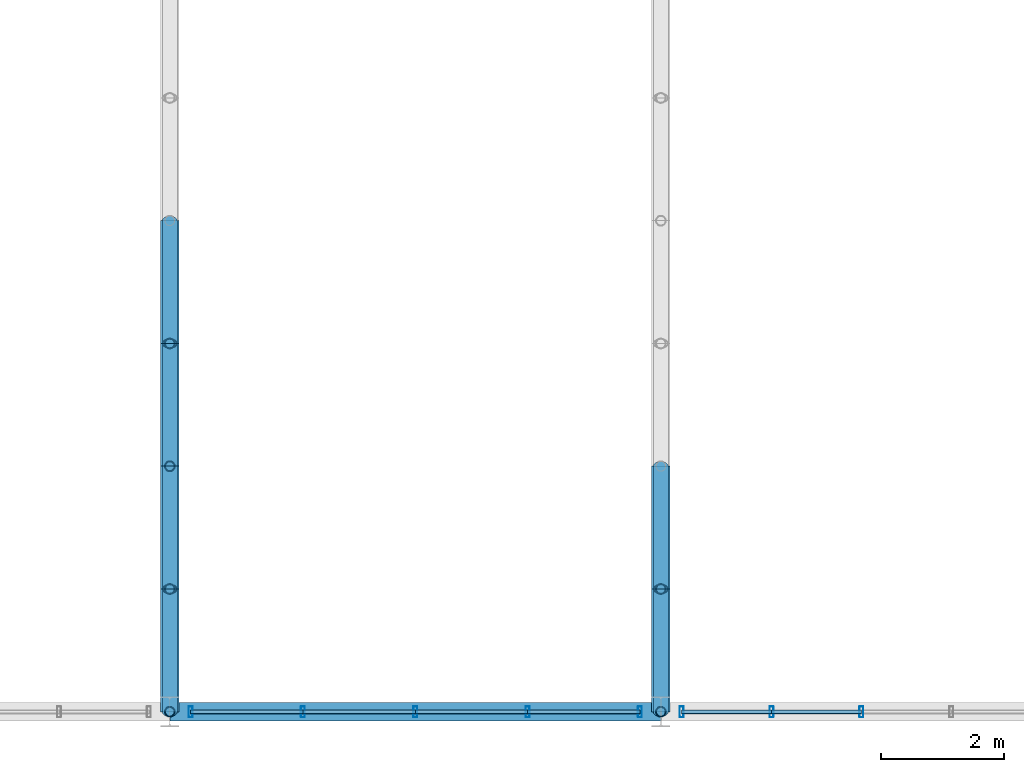
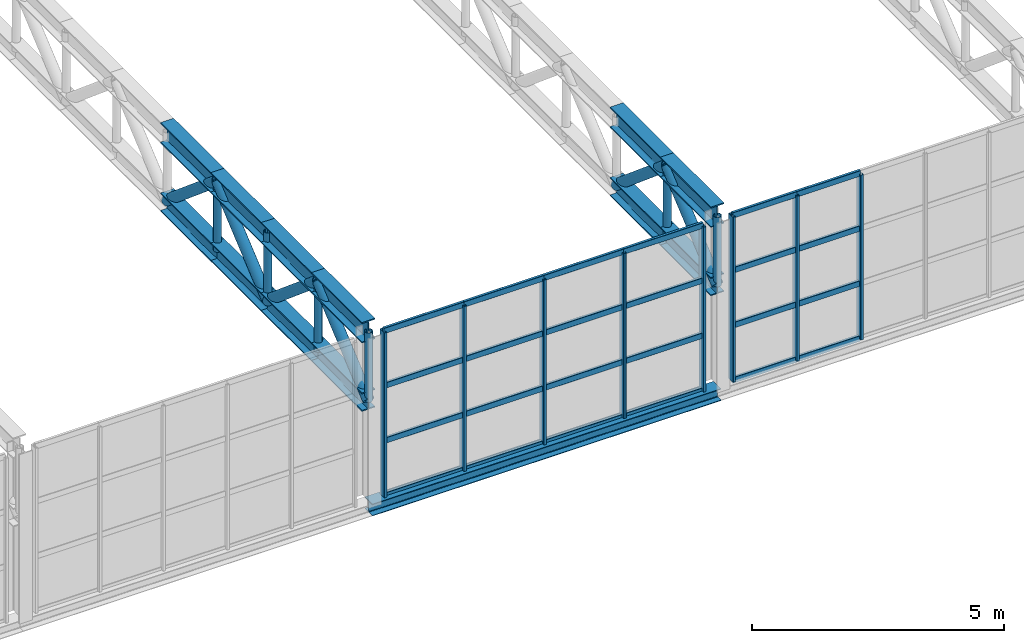
# One storey, part 18 of 67: 56 members, 1 beam, 2 elements without a shape of their own.
"""IFC4 building model written with IfcOpenShell, lengths in metres."""

from ifc_helpers import new_model, si_unit, derived_unit, direction, frame, origin, origin_2d, place, context, subcontext, project, spatial, hollow_rectangle, hollow_circle, i_section, extrude, material, material_profile, profile_set, type_object, element, aggregate, save


model = new_model("IFC4")

# Units and contexts
model_context = context("Model", 3, precision=1e-05, world=origin(), true_north=direction((0.0, 1.0)))
body_context = subcontext(model_context, "Body", "Model", "MODEL_VIEW")
ifc_project = project(units=[si_unit("LENGTHUNIT", "METRE"), si_unit("AREAUNIT", "SQUARE_METRE"), si_unit("VOLUMEUNIT", "CUBIC_METRE"), si_unit("PLANEANGLEUNIT", "RADIAN"), si_unit("MASSUNIT", "GRAM", prefix="KILO"), derived_unit("THERMALTRANSMITTANCEUNIT", [(si_unit("POWERUNIT", "WATT"), 1), (si_unit("LENGTHUNIT", "METRE"), -2), (si_unit("THERMODYNAMICTEMPERATUREUNIT", "KELVIN"), -1)])], contexts=[model_context])

# Site, building, storey
site_placement = place(None, origin())
site = spatial("IfcSite", under=ifc_project, at=site_placement, CompositionType="ELEMENT")
building_placement = place(site_placement, origin())
building = spatial("IfcBuilding", under=site, at=building_placement, Name="Keldorne Ridge Multi-Sports Centre", CompositionType="ELEMENT")
storey_placement = place(building_placement, frame((0.0, 0.0, 14.0)))
storey = spatial("IfcBuildingStorey", under=building, at=storey_placement, Name="L03", CompositionType="ELEMENT", Elevation=14.0)

# Beam
ifc_material_1 = material(Name="Steel S355", Category="steel")
ifc_material_profile_1 = material_profile(ifc_material_1, i_section(OverallWidth=0.300048828125, OverallDepth=0.2900390625, WebThickness=0.008544921875, FlangeThickness=0.013916015625, FilletRadius=0.027099609375, at=origin_2d()), Name="HEA 300")
ifc_profile_set_1 = profile_set([ifc_material_profile_1], Name="Steel S355")
beam_type = type_object("IfcBeamType", Name="BM-SP-04", PredefinedType="SPANDREL", material=ifc_profile_set_1)
beam_placement = place(storey_placement, frame((136.0, 6.0, -0.14990234375), z_axis=(1.0, 0.0, 0.0), x_axis=(0.0, 1.0, 0.0)))
element("IfcBeam", 1, at=beam_placement, inside=storey, type_object=beam_type, Name="Stacked Courts spandrel L03.6.5", PredefinedType="SPANDREL", context=body_context, shape_type="SweptSolid", body=[
    extrude(i_section(OverallWidth=0.300048828125, OverallDepth=0.2900390625, WebThickness=0.008544921875, FlangeThickness=0.013916015625, FilletRadius=0.027099609375, at=origin_2d()), origin(), (0.0, 0.0, 1.0), 8.0),
])

# Curtain wall, members
ifc_material_2 = material(Name="Anodized aluminium", Category="aluminium")
curtain_wall_type_1 = type_object("IfcCurtainWallType", Name="CW-CW-03", PredefinedType="NOTDEFINED", material=ifc_material_2)
curtain_wall_1_placement = place(storey_placement, origin())
curtain_wall_1 = element("IfcCurtainWall", 2, at=curtain_wall_1_placement, inside=storey, type_object=curtain_wall_type_1, Name="Upper Courts high clerestory 115", PredefinedType="NOTDEFINED")
ifc_material_profile_2 = material_profile(ifc_material_2, hollow_rectangle(XDim=0.06494140625, YDim=0.179931640625, WallThickness=0.00439453125, InnerFilletRadius=0.00439453125, OuterFilletRadius=0.009033203125, at=origin_2d()), Name="ALU MULLION 180x65x4.5")
ifc_profile_set_2 = profile_set([ifc_material_profile_2], Name="Anodized aluminium")
member_type_1 = type_object("IfcMemberType", Name="MEM-ML-01", PredefinedType="MULLION", material=ifc_profile_set_2)
member_1_placement = place(storey_placement, frame((136.340087890625, 6.0, 0.0), z_axis=(0.0, 0.0, 1.0), x_axis=(1.0, 0.0, 0.0)))
member_1 = element("IfcMember", 3, at=member_1_placement, type_object=member_type_1, Name="CW-115 vertical mullion 1", PredefinedType="MULLION", context=body_context, shape_type="SweptSolid", body=[
    extrude(hollow_rectangle(XDim=0.06494140625, YDim=0.179931640625, WallThickness=0.00439453125, InnerFilletRadius=0.00439453125, OuterFilletRadius=0.009033203125, at=origin_2d()), origin(), (0.0, 0.0, 1.0), 4.0),
])
member_2_placement = place(storey_placement, frame((138.169921875, 6.0, 0.0), z_axis=(0.0, 0.0, 1.0), x_axis=(1.0, 0.0, 0.0)))
member_2 = element("IfcMember", 4, at=member_2_placement, type_object=member_type_1, Name="CW-115 vertical mullion 2", PredefinedType="MULLION", context=body_context, shape_type="SweptSolid", body=[
    extrude(hollow_rectangle(XDim=0.06494140625, YDim=0.179931640625, WallThickness=0.00439453125, InnerFilletRadius=0.00439453125, OuterFilletRadius=0.009033203125, at=origin_2d()), origin(), (0.0, 0.0, 1.0), 4.0),
])
member_3_placement = place(storey_placement, frame((140.0, 6.0, 0.0), z_axis=(0.0, 0.0, 1.0), x_axis=(1.0, 0.0, 0.0)))
member_3 = element("IfcMember", 5, at=member_3_placement, type_object=member_type_1, Name="CW-115 vertical mullion 3", PredefinedType="MULLION", context=body_context, shape_type="SweptSolid", body=[
    extrude(hollow_rectangle(XDim=0.06494140625, YDim=0.179931640625, WallThickness=0.00439453125, InnerFilletRadius=0.00439453125, OuterFilletRadius=0.009033203125, at=origin_2d()), origin(), (0.0, 0.0, 1.0), 4.0),
])
member_4_placement = place(storey_placement, frame((141.830078125, 6.0, 0.0), z_axis=(0.0, 0.0, 1.0), x_axis=(1.0, 0.0, 0.0)))
member_4 = element("IfcMember", 6, at=member_4_placement, type_object=member_type_1, Name="CW-115 vertical mullion 4", PredefinedType="MULLION", context=body_context, shape_type="SweptSolid", body=[
    extrude(hollow_rectangle(XDim=0.06494140625, YDim=0.179931640625, WallThickness=0.00439453125, InnerFilletRadius=0.00439453125, OuterFilletRadius=0.009033203125, at=origin_2d()), origin(), (0.0, 0.0, 1.0), 4.0),
])
member_5_placement = place(storey_placement, frame((143.659912109375, 6.0, 0.0), z_axis=(0.0, 0.0, 1.0), x_axis=(1.0, 0.0, 0.0)))
member_5 = element("IfcMember", 7, at=member_5_placement, type_object=member_type_1, Name="CW-115 vertical mullion 5", PredefinedType="MULLION", context=body_context, shape_type="SweptSolid", body=[
    extrude(hollow_rectangle(XDim=0.06494140625, YDim=0.179931640625, WallThickness=0.00439453125, InnerFilletRadius=0.00439453125, OuterFilletRadius=0.009033203125, at=origin_2d()), origin(), (0.0, 0.0, 1.0), 4.0),
])

curtain_wall_type_2 = type_object("IfcCurtainWallType", Name="CW-CW-01", PredefinedType="NOTDEFINED", material=ifc_material_2)
curtain_wall_2_placement = place(storey_placement, origin())
curtain_wall_2 = element("IfcCurtainWall", 8, at=curtain_wall_2_placement, inside=storey, type_object=curtain_wall_type_2, Name="Upper Courts high clerestory 121", PredefinedType="NOTDEFINED")
member_6_placement = place(storey_placement, frame((144.340087890625, 6.0, 0.0), z_axis=(0.0, 0.0, 1.0), x_axis=(1.0, 0.0, 0.0)))
member_6 = element("IfcMember", 9, at=member_6_placement, type_object=member_type_1, Name="CW-121 vertical mullion 1", PredefinedType="MULLION", context=body_context, shape_type="SweptSolid", body=[
    extrude(hollow_rectangle(XDim=0.06494140625, YDim=0.179931640625, WallThickness=0.00439453125, InnerFilletRadius=0.00439453125, OuterFilletRadius=0.009033203125, at=origin_2d()), origin(), (0.0, 0.0, 1.0), 4.0),
])
member_7_placement = place(storey_placement, frame((145.803955078125, 6.0, 0.0), z_axis=(0.0, 0.0, 1.0), x_axis=(1.0, 0.0, 0.0)))
member_7 = element("IfcMember", 10, at=member_7_placement, type_object=member_type_1, Name="CW-121 vertical mullion 2", PredefinedType="MULLION", context=body_context, shape_type="SweptSolid", body=[
    extrude(hollow_rectangle(XDim=0.06494140625, YDim=0.179931640625, WallThickness=0.00439453125, InnerFilletRadius=0.00439453125, OuterFilletRadius=0.009033203125, at=origin_2d()), origin(), (0.0, 0.0, 1.0), 4.0),
])
member_8_placement = place(storey_placement, frame((147.26806640625, 6.0, 0.0), z_axis=(0.0, 0.0, 1.0), x_axis=(1.0, 0.0, 0.0)))
member_8 = element("IfcMember", 11, at=member_8_placement, type_object=member_type_1, Name="CW-121 vertical mullion 3", PredefinedType="MULLION", context=body_context, shape_type="SweptSolid", body=[
    extrude(hollow_rectangle(XDim=0.06494140625, YDim=0.179931640625, WallThickness=0.00439453125, InnerFilletRadius=0.00439453125, OuterFilletRadius=0.009033203125, at=origin_2d()), origin(), (0.0, 0.0, 1.0), 4.0),
])

# Members
ifc_material_profile_3 = material_profile(ifc_material_1, i_section(OverallWidth=0.300048828125, OverallDepth=0.5, WebThickness=0.014404296875, FlangeThickness=0.028076171875, FilletRadius=0.027099609375, at=origin_2d()), Name="HEB 500")
ifc_profile_set_3 = profile_set([ifc_material_profile_3], Name="Steel S355")
member_type_2 = type_object("IfcMemberType", Name="MEM-TC-03", PredefinedType="CHORD", material=ifc_profile_set_3)
for number, where, z_axis, x_axis, name in (
    (12, (136.0, 6.0, 4.110107421875), (0.0, 1.0, 0.0), (-1.0, 0.0, 0.0), "Stacked Courts Warren TRUSS WT-L04-05 top chord 1"),
    (13, (136.0, 8.0, 4.110107421875), (0.0, 1.0, 0.0), (-1.0, 0.0, 0.0), "Stacked Courts Warren TRUSS WT-L04-05 top chord 2"),
    (14, (136.0, 10.0, 4.110107421875), (0.0, 1.0, 0.0), (-1.0, 0.0, 0.0), "Stacked Courts Warren TRUSS WT-L04-05 top chord 3"),
    (15, (136.0, 12.0, 4.110107421875), (0.0, 1.0, 0.0), (-1.0, 0.0, 0.0), "Stacked Courts Warren TRUSS WT-L04-05 top chord 4"),
    (16, (144.0, 6.0, 4.110107421875), (0.0, 1.0, 0.0), (-1.0, 0.0, 0.0), "Stacked Courts Warren TRUSS WT-L04-06 top chord 1"),
    (17, (144.0, 8.0, 4.110107421875), (0.0, 1.0, 0.0), (-1.0, 0.0, 0.0), "Stacked Courts Warren TRUSS WT-L04-06 top chord 2"),
):
    element("IfcMember", number, at=place(storey_placement, frame(where, z_axis=z_axis, x_axis=x_axis)), inside=storey, type_object=member_type_2, Name=name, PredefinedType="CHORD", context=body_context, shape_type="SweptSolid", body=[
        extrude(i_section(OverallWidth=0.300048828125, OverallDepth=0.5, WebThickness=0.014404296875, FlangeThickness=0.028076171875, FilletRadius=0.027099609375, at=origin_2d()), origin(), (0.0, 0.0, 1.0), 2.0),
    ])
ifc_material_profile_4 = material_profile(ifc_material_1, i_section(OverallWidth=0.300048828125, OverallDepth=0.449951171875, WebThickness=0.013916015625, FlangeThickness=0.02587890625, FilletRadius=0.027099609375, at=origin_2d()), Name="HEB 450")
ifc_profile_set_4 = profile_set([ifc_material_profile_4], Name="Steel S355")
member_type_3 = type_object("IfcMemberType", Name="MEM-TC-04", PredefinedType="CHORD", material=ifc_profile_set_4)
for number, where, z_axis, x_axis, name in (
    (18, (136.0, 6.0, 2.429931640625), (0.0, 1.0, 0.0), (-1.0, 0.0, 0.0), "Stacked Courts Warren TRUSS WT-L04-05 bottom chord 1"),
    (19, (136.0, 8.0, 2.429931640625), (0.0, 1.0, 0.0), (-1.0, 0.0, 0.0), "Stacked Courts Warren TRUSS WT-L04-05 bottom chord 2"),
    (20, (136.0, 10.0, 2.429931640625), (0.0, 1.0, 0.0), (-1.0, 0.0, 0.0), "Stacked Courts Warren TRUSS WT-L04-05 bottom chord 3"),
    (21, (136.0, 12.0, 2.429931640625), (0.0, 1.0, 0.0), (-1.0, 0.0, 0.0), "Stacked Courts Warren TRUSS WT-L04-05 bottom chord 4"),
    (22, (144.0, 6.0, 2.429931640625), (0.0, 1.0, 0.0), (-1.0, 0.0, 0.0), "Stacked Courts Warren TRUSS WT-L04-06 bottom chord 1"),
    (23, (144.0, 8.0, 2.429931640625), (0.0, 1.0, 0.0), (-1.0, 0.0, 0.0), "Stacked Courts Warren TRUSS WT-L04-06 bottom chord 2"),
):
    element("IfcMember", number, at=place(storey_placement, frame(where, z_axis=z_axis, x_axis=x_axis)), inside=storey, type_object=member_type_3, Name=name, PredefinedType="CHORD", context=body_context, shape_type="SweptSolid", body=[
        extrude(i_section(OverallWidth=0.300048828125, OverallDepth=0.449951171875, WebThickness=0.013916015625, FlangeThickness=0.02587890625, FilletRadius=0.027099609375, at=origin_2d()), origin(), (0.0, 0.0, 1.0), 2.0),
    ])
ifc_material_profile_5 = material_profile(ifc_material_1, hollow_circle(Radius=0.122314453125, WallThickness=0.012451171875, at=origin_2d()), Name="CHS 244.5x12.5")
ifc_profile_set_5 = profile_set([ifc_material_profile_5], Name="Steel S355")
member_type_4 = type_object("IfcMemberType", Name="MEM-TD-02", PredefinedType="BRACE", material=ifc_profile_set_5)
for number, where, z_axis, x_axis, name in (
    (24, (136.0, 6.0, 2.429931640625), (0.0, 0.765671721121, 0.643231541108), (-1.0, 0.0, 0.0), "Stacked Courts Warren TRUSS WT-L04-05 diagonal 1"),
    (25, (136.0, 8.0, 4.110107421875), (0.0, 0.765671721121, -0.643231541108), (-1.0, 0.0, 0.0), "Stacked Courts Warren TRUSS WT-L04-05 diagonal 2"),
    (26, (136.0, 10.0, 2.429931640625), (0.0, 0.765671721121, 0.643231541108), (-1.0, 0.0, 0.0), "Stacked Courts Warren TRUSS WT-L04-05 diagonal 3"),
    (27, (136.0, 12.0, 4.110107421875), (0.0, 0.765671721121, -0.643231541108), (-1.0, 0.0, 0.0), "Stacked Courts Warren TRUSS WT-L04-05 diagonal 4"),
    (28, (144.0, 6.0, 2.429931640625), (0.0, 0.765671721121, 0.643231541108), (-1.0, 0.0, 0.0), "Stacked Courts Warren TRUSS WT-L04-06 diagonal 1"),
    (29, (144.0, 8.0, 4.110107421875), (0.0, 0.765671721121, -0.643231541108), (-1.0, 0.0, 0.0), "Stacked Courts Warren TRUSS WT-L04-06 diagonal 2"),
):
    element("IfcMember", number, at=place(storey_placement, frame(where, z_axis=z_axis, x_axis=x_axis)), inside=storey, type_object=member_type_4, Name=name, PredefinedType="BRACE", context=body_context, shape_type="SweptSolid", body=[
        extrude(hollow_circle(Radius=0.122314453125, WallThickness=0.012451171875, at=origin_2d()), origin(), (0.0, 0.0, 1.0), 2.612060546875),
    ])

# Member
ifc_material_profile_6 = material_profile(ifc_material_2, hollow_rectangle(XDim=0.06494140625, YDim=0.139892578125, WallThickness=0.00439453125, InnerFilletRadius=0.00439453125, OuterFilletRadius=0.009033203125, at=origin_2d()), Name="ALU TRANSOM 140x65x4.5")
ifc_profile_set_6 = profile_set([ifc_material_profile_6], Name="Anodized aluminium")
member_type_5 = type_object("IfcMemberType", Name="MEM-TR-01", PredefinedType="USERDEFINED", material=ifc_profile_set_6)
member_9_placement = place(storey_placement, frame((136.340087890625, 6.0, 0.0), z_axis=(1.0, 0.0, 0.0), x_axis=(0.0, 1.0, 0.0)))
member_9 = element("IfcMember", 30, at=member_9_placement, type_object=member_type_5, Name="CW-115 transom 1.1", ObjectType="TRANSOM", PredefinedType="USERDEFINED", context=body_context, shape_type="SweptSolid", body=[
    extrude(hollow_rectangle(XDim=0.06494140625, YDim=0.139892578125, WallThickness=0.00439453125, InnerFilletRadius=0.00439453125, OuterFilletRadius=0.009033203125, at=origin_2d()), origin(), (0.0, 0.0, 1.0), 1.829833984375),
])

member_10_placement = place(storey_placement, frame((136.340087890625, 6.0, 1.333251953125), z_axis=(1.0, 0.0, 0.0), x_axis=(0.0, 1.0, 0.0)))
member_10 = element("IfcMember", 31, at=member_10_placement, type_object=member_type_5, Name="CW-115 transom 1.2", ObjectType="TRANSOM", PredefinedType="USERDEFINED", context=body_context, shape_type="SweptSolid", body=[
    extrude(hollow_rectangle(XDim=0.06494140625, YDim=0.139892578125, WallThickness=0.00439453125, InnerFilletRadius=0.00439453125, OuterFilletRadius=0.009033203125, at=origin_2d()), origin(), (0.0, 0.0, 1.0), 1.829833984375),
])

member_11_placement = place(storey_placement, frame((136.340087890625, 6.0, 2.666748046875), z_axis=(1.0, 0.0, 0.0), x_axis=(0.0, 1.0, 0.0)))
member_11 = element("IfcMember", 32, at=member_11_placement, type_object=member_type_5, Name="CW-115 transom 1.3", ObjectType="TRANSOM", PredefinedType="USERDEFINED", context=body_context, shape_type="SweptSolid", body=[
    extrude(hollow_rectangle(XDim=0.06494140625, YDim=0.139892578125, WallThickness=0.00439453125, InnerFilletRadius=0.00439453125, OuterFilletRadius=0.009033203125, at=origin_2d()), origin(), (0.0, 0.0, 1.0), 1.829833984375),
])

member_12_placement = place(storey_placement, frame((136.340087890625, 6.0, 4.0), z_axis=(1.0, 0.0, 0.0), x_axis=(0.0, 1.0, 0.0)))
member_12 = element("IfcMember", 33, at=member_12_placement, type_object=member_type_5, Name="CW-115 transom 1.4", ObjectType="TRANSOM", PredefinedType="USERDEFINED", context=body_context, shape_type="SweptSolid", body=[
    extrude(hollow_rectangle(XDim=0.06494140625, YDim=0.139892578125, WallThickness=0.00439453125, InnerFilletRadius=0.00439453125, OuterFilletRadius=0.009033203125, at=origin_2d()), origin(), (0.0, 0.0, 1.0), 1.829833984375),
])

member_13_placement = place(storey_placement, frame((138.169921875, 6.0, 0.0), z_axis=(1.0, 0.0, 0.0), x_axis=(0.0, 1.0, 0.0)))
member_13 = element("IfcMember", 34, at=member_13_placement, type_object=member_type_5, Name="CW-115 transom 2.1", ObjectType="TRANSOM", PredefinedType="USERDEFINED", context=body_context, shape_type="SweptSolid", body=[
    extrude(hollow_rectangle(XDim=0.06494140625, YDim=0.139892578125, WallThickness=0.00439453125, InnerFilletRadius=0.00439453125, OuterFilletRadius=0.009033203125, at=origin_2d()), origin(), (0.0, 0.0, 1.0), 1.830078125),
])

member_14_placement = place(storey_placement, frame((138.169921875, 6.0, 1.333251953125), z_axis=(1.0, 0.0, 0.0), x_axis=(0.0, 1.0, 0.0)))
member_14 = element("IfcMember", 35, at=member_14_placement, type_object=member_type_5, Name="CW-115 transom 2.2", ObjectType="TRANSOM", PredefinedType="USERDEFINED", context=body_context, shape_type="SweptSolid", body=[
    extrude(hollow_rectangle(XDim=0.06494140625, YDim=0.139892578125, WallThickness=0.00439453125, InnerFilletRadius=0.00439453125, OuterFilletRadius=0.009033203125, at=origin_2d()), origin(), (0.0, 0.0, 1.0), 1.830078125),
])

member_15_placement = place(storey_placement, frame((138.169921875, 6.0, 2.666748046875), z_axis=(1.0, 0.0, 0.0), x_axis=(0.0, 1.0, 0.0)))
member_15 = element("IfcMember", 36, at=member_15_placement, type_object=member_type_5, Name="CW-115 transom 2.3", ObjectType="TRANSOM", PredefinedType="USERDEFINED", context=body_context, shape_type="SweptSolid", body=[
    extrude(hollow_rectangle(XDim=0.06494140625, YDim=0.139892578125, WallThickness=0.00439453125, InnerFilletRadius=0.00439453125, OuterFilletRadius=0.009033203125, at=origin_2d()), origin(), (0.0, 0.0, 1.0), 1.830078125),
])

member_16_placement = place(storey_placement, frame((138.169921875, 6.0, 4.0), z_axis=(1.0, 0.0, 0.0), x_axis=(0.0, 1.0, 0.0)))
member_16 = element("IfcMember", 37, at=member_16_placement, type_object=member_type_5, Name="CW-115 transom 2.4", ObjectType="TRANSOM", PredefinedType="USERDEFINED", context=body_context, shape_type="SweptSolid", body=[
    extrude(hollow_rectangle(XDim=0.06494140625, YDim=0.139892578125, WallThickness=0.00439453125, InnerFilletRadius=0.00439453125, OuterFilletRadius=0.009033203125, at=origin_2d()), origin(), (0.0, 0.0, 1.0), 1.830078125),
])

member_17_placement = place(storey_placement, frame((140.0, 6.0, 0.0), z_axis=(1.0, 0.0, 0.0), x_axis=(0.0, 1.0, 0.0)))
member_17 = element("IfcMember", 38, at=member_17_placement, type_object=member_type_5, Name="CW-115 transom 3.1", ObjectType="TRANSOM", PredefinedType="USERDEFINED", context=body_context, shape_type="SweptSolid", body=[
    extrude(hollow_rectangle(XDim=0.06494140625, YDim=0.139892578125, WallThickness=0.00439453125, InnerFilletRadius=0.00439453125, OuterFilletRadius=0.009033203125, at=origin_2d()), origin(), (0.0, 0.0, 1.0), 1.830078125),
])

member_18_placement = place(storey_placement, frame((140.0, 6.0, 1.333251953125), z_axis=(1.0, 0.0, 0.0), x_axis=(0.0, 1.0, 0.0)))
member_18 = element("IfcMember", 39, at=member_18_placement, type_object=member_type_5, Name="CW-115 transom 3.2", ObjectType="TRANSOM", PredefinedType="USERDEFINED", context=body_context, shape_type="SweptSolid", body=[
    extrude(hollow_rectangle(XDim=0.06494140625, YDim=0.139892578125, WallThickness=0.00439453125, InnerFilletRadius=0.00439453125, OuterFilletRadius=0.009033203125, at=origin_2d()), origin(), (0.0, 0.0, 1.0), 1.830078125),
])

member_19_placement = place(storey_placement, frame((140.0, 6.0, 2.666748046875), z_axis=(1.0, 0.0, 0.0), x_axis=(0.0, 1.0, 0.0)))
member_19 = element("IfcMember", 40, at=member_19_placement, type_object=member_type_5, Name="CW-115 transom 3.3", ObjectType="TRANSOM", PredefinedType="USERDEFINED", context=body_context, shape_type="SweptSolid", body=[
    extrude(hollow_rectangle(XDim=0.06494140625, YDim=0.139892578125, WallThickness=0.00439453125, InnerFilletRadius=0.00439453125, OuterFilletRadius=0.009033203125, at=origin_2d()), origin(), (0.0, 0.0, 1.0), 1.830078125),
])

member_20_placement = place(storey_placement, frame((140.0, 6.0, 4.0), z_axis=(1.0, 0.0, 0.0), x_axis=(0.0, 1.0, 0.0)))
member_20 = element("IfcMember", 41, at=member_20_placement, type_object=member_type_5, Name="CW-115 transom 3.4", ObjectType="TRANSOM", PredefinedType="USERDEFINED", context=body_context, shape_type="SweptSolid", body=[
    extrude(hollow_rectangle(XDim=0.06494140625, YDim=0.139892578125, WallThickness=0.00439453125, InnerFilletRadius=0.00439453125, OuterFilletRadius=0.009033203125, at=origin_2d()), origin(), (0.0, 0.0, 1.0), 1.830078125),
])

member_21_placement = place(storey_placement, frame((141.830078125, 6.0, 0.0), z_axis=(1.0, 0.0, 0.0), x_axis=(0.0, 1.0, 0.0)))
member_21 = element("IfcMember", 42, at=member_21_placement, type_object=member_type_5, Name="CW-115 transom 4.1", ObjectType="TRANSOM", PredefinedType="USERDEFINED", context=body_context, shape_type="SweptSolid", body=[
    extrude(hollow_rectangle(XDim=0.06494140625, YDim=0.139892578125, WallThickness=0.00439453125, InnerFilletRadius=0.00439453125, OuterFilletRadius=0.009033203125, at=origin_2d()), origin(), (0.0, 0.0, 1.0), 1.829833984375),
])

member_22_placement = place(storey_placement, frame((141.830078125, 6.0, 1.333251953125), z_axis=(1.0, 0.0, 0.0), x_axis=(0.0, 1.0, 0.0)))
member_22 = element("IfcMember", 43, at=member_22_placement, type_object=member_type_5, Name="CW-115 transom 4.2", ObjectType="TRANSOM", PredefinedType="USERDEFINED", context=body_context, shape_type="SweptSolid", body=[
    extrude(hollow_rectangle(XDim=0.06494140625, YDim=0.139892578125, WallThickness=0.00439453125, InnerFilletRadius=0.00439453125, OuterFilletRadius=0.009033203125, at=origin_2d()), origin(), (0.0, 0.0, 1.0), 1.829833984375),
])

member_23_placement = place(storey_placement, frame((141.830078125, 6.0, 2.666748046875), z_axis=(1.0, 0.0, 0.0), x_axis=(0.0, 1.0, 0.0)))
member_23 = element("IfcMember", 44, at=member_23_placement, type_object=member_type_5, Name="CW-115 transom 4.3", ObjectType="TRANSOM", PredefinedType="USERDEFINED", context=body_context, shape_type="SweptSolid", body=[
    extrude(hollow_rectangle(XDim=0.06494140625, YDim=0.139892578125, WallThickness=0.00439453125, InnerFilletRadius=0.00439453125, OuterFilletRadius=0.009033203125, at=origin_2d()), origin(), (0.0, 0.0, 1.0), 1.829833984375),
])

member_24_placement = place(storey_placement, frame((141.830078125, 6.0, 4.0), z_axis=(1.0, 0.0, 0.0), x_axis=(0.0, 1.0, 0.0)))
member_24 = element("IfcMember", 45, at=member_24_placement, type_object=member_type_5, Name="CW-115 transom 4.4", ObjectType="TRANSOM", PredefinedType="USERDEFINED", context=body_context, shape_type="SweptSolid", body=[
    extrude(hollow_rectangle(XDim=0.06494140625, YDim=0.139892578125, WallThickness=0.00439453125, InnerFilletRadius=0.00439453125, OuterFilletRadius=0.009033203125, at=origin_2d()), origin(), (0.0, 0.0, 1.0), 1.829833984375),
])

aggregate(curtain_wall_1, [member_1, member_2, member_3, member_4, member_5, member_9, member_10, member_11, member_12, member_13, member_14, member_15, member_16, member_17, member_18, member_19, member_20, member_21, member_22, member_23, member_24])

member_25_placement = place(storey_placement, frame((144.340087890625, 6.0, 0.0), z_axis=(1.0, 0.0, 0.0), x_axis=(0.0, 1.0, 0.0)))
member_25 = element("IfcMember", 46, at=member_25_placement, type_object=member_type_5, Name="CW-121 transom 1.1", ObjectType="TRANSOM", PredefinedType="USERDEFINED", context=body_context, shape_type="SweptSolid", body=[
    extrude(hollow_rectangle(XDim=0.06494140625, YDim=0.139892578125, WallThickness=0.00439453125, InnerFilletRadius=0.00439453125, OuterFilletRadius=0.009033203125, at=origin_2d()), origin(), (0.0, 0.0, 1.0), 1.4638671875),
])

member_26_placement = place(storey_placement, frame((144.340087890625, 6.0, 1.333251953125), z_axis=(1.0, 0.0, 0.0), x_axis=(0.0, 1.0, 0.0)))
member_26 = element("IfcMember", 47, at=member_26_placement, type_object=member_type_5, Name="CW-121 transom 1.2", ObjectType="TRANSOM", PredefinedType="USERDEFINED", context=body_context, shape_type="SweptSolid", body=[
    extrude(hollow_rectangle(XDim=0.06494140625, YDim=0.139892578125, WallThickness=0.00439453125, InnerFilletRadius=0.00439453125, OuterFilletRadius=0.009033203125, at=origin_2d()), origin(), (0.0, 0.0, 1.0), 1.4638671875),
])

member_27_placement = place(storey_placement, frame((144.340087890625, 6.0, 2.666748046875), z_axis=(1.0, 0.0, 0.0), x_axis=(0.0, 1.0, 0.0)))
member_27 = element("IfcMember", 48, at=member_27_placement, type_object=member_type_5, Name="CW-121 transom 1.3", ObjectType="TRANSOM", PredefinedType="USERDEFINED", context=body_context, shape_type="SweptSolid", body=[
    extrude(hollow_rectangle(XDim=0.06494140625, YDim=0.139892578125, WallThickness=0.00439453125, InnerFilletRadius=0.00439453125, OuterFilletRadius=0.009033203125, at=origin_2d()), origin(), (0.0, 0.0, 1.0), 1.4638671875),
])

member_28_placement = place(storey_placement, frame((144.340087890625, 6.0, 4.0), z_axis=(1.0, 0.0, 0.0), x_axis=(0.0, 1.0, 0.0)))
member_28 = element("IfcMember", 49, at=member_28_placement, type_object=member_type_5, Name="CW-121 transom 1.4", ObjectType="TRANSOM", PredefinedType="USERDEFINED", context=body_context, shape_type="SweptSolid", body=[
    extrude(hollow_rectangle(XDim=0.06494140625, YDim=0.139892578125, WallThickness=0.00439453125, InnerFilletRadius=0.00439453125, OuterFilletRadius=0.009033203125, at=origin_2d()), origin(), (0.0, 0.0, 1.0), 1.4638671875),
])

member_29_placement = place(storey_placement, frame((145.803955078125, 6.0, 0.0), z_axis=(1.0, 0.0, 0.0), x_axis=(0.0, 1.0, 0.0)))
member_29 = element("IfcMember", 50, at=member_29_placement, type_object=member_type_5, Name="CW-121 transom 2.1", ObjectType="TRANSOM", PredefinedType="USERDEFINED", context=body_context, shape_type="SweptSolid", body=[
    extrude(hollow_rectangle(XDim=0.06494140625, YDim=0.139892578125, WallThickness=0.00439453125, InnerFilletRadius=0.00439453125, OuterFilletRadius=0.009033203125, at=origin_2d()), origin(), (0.0, 0.0, 1.0), 1.464111328125),
])

member_30_placement = place(storey_placement, frame((145.803955078125, 6.0, 1.333251953125), z_axis=(1.0, 0.0, 0.0), x_axis=(0.0, 1.0, 0.0)))
member_30 = element("IfcMember", 51, at=member_30_placement, type_object=member_type_5, Name="CW-121 transom 2.2", ObjectType="TRANSOM", PredefinedType="USERDEFINED", context=body_context, shape_type="SweptSolid", body=[
    extrude(hollow_rectangle(XDim=0.06494140625, YDim=0.139892578125, WallThickness=0.00439453125, InnerFilletRadius=0.00439453125, OuterFilletRadius=0.009033203125, at=origin_2d()), origin(), (0.0, 0.0, 1.0), 1.464111328125),
])

member_31_placement = place(storey_placement, frame((145.803955078125, 6.0, 2.666748046875), z_axis=(1.0, 0.0, 0.0), x_axis=(0.0, 1.0, 0.0)))
member_31 = element("IfcMember", 52, at=member_31_placement, type_object=member_type_5, Name="CW-121 transom 2.3", ObjectType="TRANSOM", PredefinedType="USERDEFINED", context=body_context, shape_type="SweptSolid", body=[
    extrude(hollow_rectangle(XDim=0.06494140625, YDim=0.139892578125, WallThickness=0.00439453125, InnerFilletRadius=0.00439453125, OuterFilletRadius=0.009033203125, at=origin_2d()), origin(), (0.0, 0.0, 1.0), 1.464111328125),
])

member_32_placement = place(storey_placement, frame((145.803955078125, 6.0, 4.0), z_axis=(1.0, 0.0, 0.0), x_axis=(0.0, 1.0, 0.0)))
member_32 = element("IfcMember", 53, at=member_32_placement, type_object=member_type_5, Name="CW-121 transom 2.4", ObjectType="TRANSOM", PredefinedType="USERDEFINED", context=body_context, shape_type="SweptSolid", body=[
    extrude(hollow_rectangle(XDim=0.06494140625, YDim=0.139892578125, WallThickness=0.00439453125, InnerFilletRadius=0.00439453125, OuterFilletRadius=0.009033203125, at=origin_2d()), origin(), (0.0, 0.0, 1.0), 1.464111328125),
])

aggregate(curtain_wall_2, [member_6, member_7, member_8, member_25, member_26, member_27, member_28, member_29, member_30, member_31, member_32])

# Members
ifc_material_profile_7 = material_profile(ifc_material_1, hollow_circle(Radius=0.084228515625, WallThickness=0.010009765625, at=origin_2d()), Name="CHS 168.3x10")
ifc_profile_set_7 = profile_set([ifc_material_profile_7], Name="Steel S355")
member_type_6 = type_object("IfcMemberType", Name="MEM-TV-01", PredefinedType="STRUT", material=ifc_profile_set_7)
for number, where, z_axis, x_axis, name in (
    (54, (136.0, 6.0, 2.429931640625), (0.0, 0.0, 1.0), (1.0, 0.0, 0.0), "Stacked Courts Warren TRUSS WT-L04-05 post 1"),
    (55, (136.0, 8.0, 2.429931640625), (0.0, 0.0, 1.0), (1.0, 0.0, 0.0), "Stacked Courts Warren TRUSS WT-L04-05 post 2"),
    (56, (136.0, 10.0, 2.429931640625), (0.0, 0.0, 1.0), (1.0, 0.0, 0.0), "Stacked Courts Warren TRUSS WT-L04-05 post 3"),
    (57, (136.0, 12.0, 2.429931640625), (0.0, 0.0, 1.0), (1.0, 0.0, 0.0), "Stacked Courts Warren TRUSS WT-L04-05 post 4"),
    (58, (144.0, 6.0, 2.429931640625), (0.0, 0.0, 1.0), (1.0, 0.0, 0.0), "Stacked Courts Warren TRUSS WT-L04-06 post 1"),
    (59, (144.0, 8.0, 2.429931640625), (0.0, 0.0, 1.0), (1.0, 0.0, 0.0), "Stacked Courts Warren TRUSS WT-L04-06 post 2"),
):
    element("IfcMember", number, at=place(storey_placement, frame(where, z_axis=z_axis, x_axis=x_axis)), inside=storey, type_object=member_type_6, Name=name, PredefinedType="STRUT", context=body_context, shape_type="SweptSolid", body=[
        extrude(hollow_circle(Radius=0.084228515625, WallThickness=0.010009765625, at=origin_2d()), origin(), (0.0, 0.0, 1.0), 1.68017578125),
    ])

save(model, "model.ifc")
